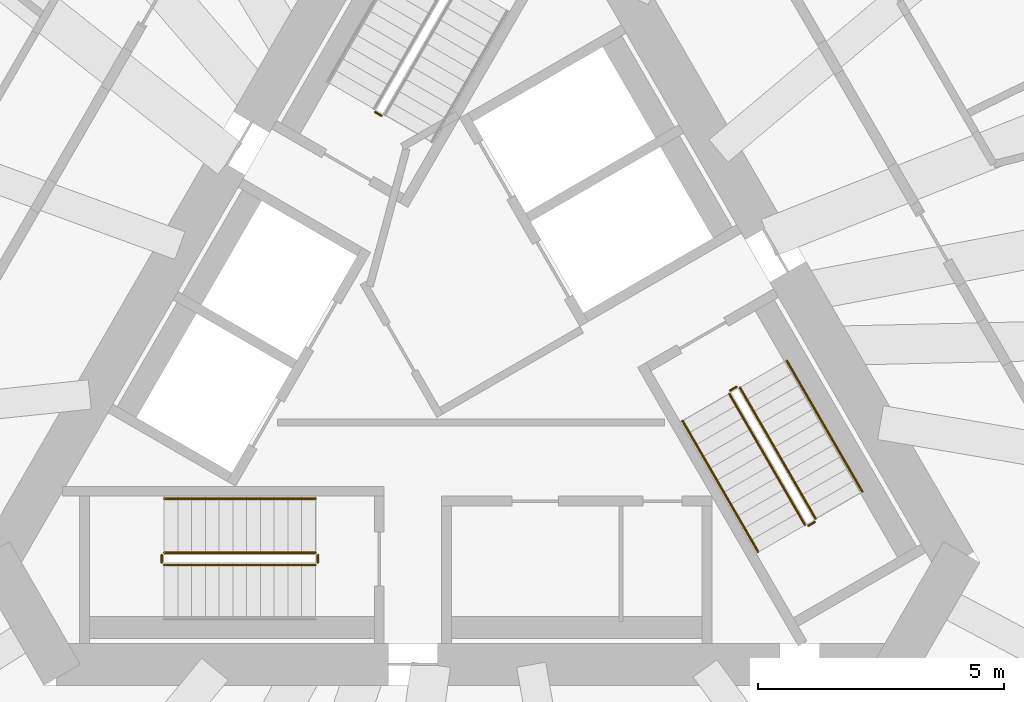
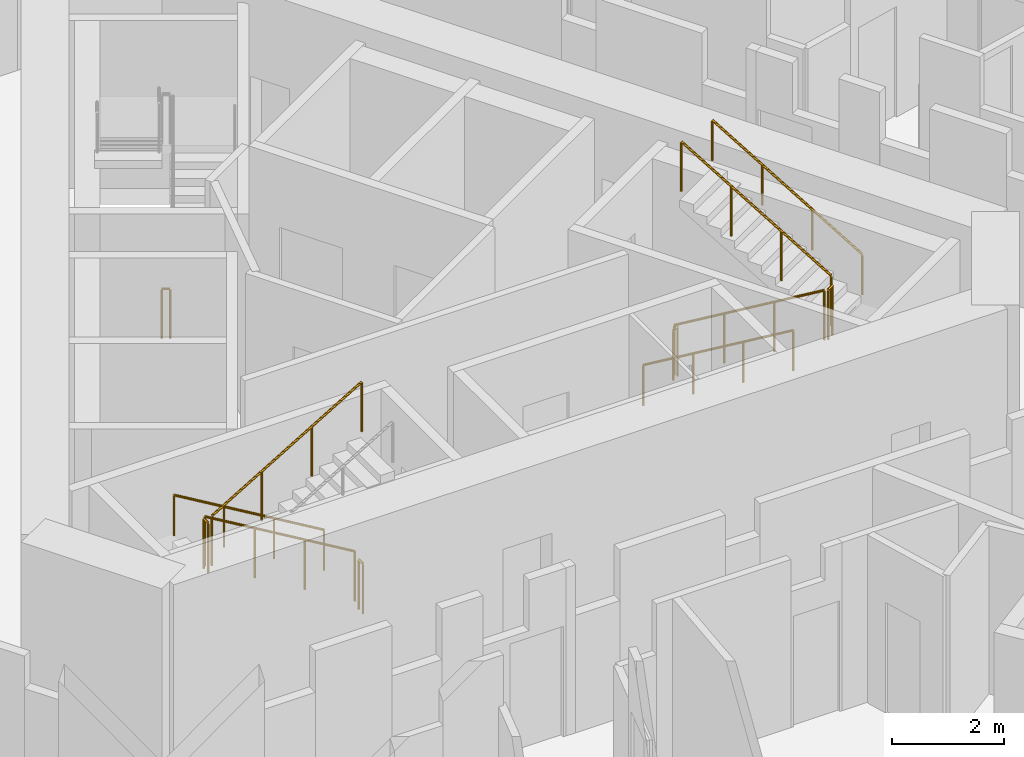
# One storey, part 11 of 14: 12 railings.
"""IFC4 building model written with IfcOpenShell, lengths in metres."""

from ifc_helpers import new_model, si_unit, direction, frame, origin, origin_2d, place, context, subcontext, project, spatial, circle, extrude, material, type_object, element, save


model = new_model("IFC4")

# Units and contexts
model_context = context("Model", 3, precision=1e-05, world=origin(), true_north=direction((0.0, 1.0)))
body_context = subcontext(model_context, "Body", "Model", "MODEL_VIEW")
ifc_project = project(units=[si_unit("LENGTHUNIT", "METRE"), si_unit("AREAUNIT", "SQUARE_METRE"), si_unit("VOLUMEUNIT", "CUBIC_METRE"), si_unit("PLANEANGLEUNIT", "RADIAN"), si_unit("MASSUNIT", "GRAM", prefix="KILO")], contexts=[model_context])

# Site, building, storey
site_placement = place(None, origin())
site = spatial("IfcSite", under=ifc_project, at=site_placement, CompositionType="ELEMENT")
building_placement = place(site_placement, origin())
building = spatial("IfcBuilding", under=site, at=building_placement, Name="Tramontana Tower", CompositionType="ELEMENT")
storey_placement = place(building_placement, frame((0.0, 0.0, 182.800048828125)))
storey = spatial("IfcBuildingStorey", under=building, at=storey_placement, Name="L42", CompositionType="ELEMENT", Elevation=182.800048828125)

# Railings
ifc_material_1 = material(Name="Painted steel", Category="steel")
railing_type_1 = type_object("IfcRailingType", Name="STAIR GUARD 1100", PredefinedType="GUARDRAIL", material=ifc_material_1)
railing_1_placement = place(storey_placement, frame((-1.935791015625, 4.84716796875, 0.0)))
element("IfcRailing", 1, at=railing_1_placement, inside=storey, type_object=railing_type_1, Name="L42 ST1 stair guard 4", PredefinedType="GUARDRAIL", context=body_context, shape_type="SweptSolid", body=[
    extrude(circle(Radius=0.02392578125, at=origin_2d()), frame((0.0, 0.0, 1.076171875), z_axis=(-0.865426285481, 0.501036270542, 0.0), x_axis=(-0.501036270542, -0.865426285481, 0.0)), (0.0, 0.0, 1.0), 0.150146484375),
    extrude(circle(Radius=0.02099609375, at=origin_2d()), origin(), (0.0, 0.0, 1.0), 1.052001953125),
    extrude(circle(Radius=0.02099609375, at=origin_2d()), frame((-0.1298828125, 0.0751953125, 0.0)), (0.0, 0.0, 1.0), 1.052001953125),
])
railing_2_placement = place(storey_placement, frame((-3.280029296875, -4.050048828125, 0.16650390625)))
element("IfcRailing", 2, at=railing_2_placement, inside=storey, type_object=railing_type_1, Name="L42 ST2 stair guard 1", PredefinedType="GUARDRAIL", context=body_context, shape_type="SweptSolid", body=[
    extrude(circle(Radius=0.02392578125, at=origin_2d()), frame((0.0, 0.0, 1.076171875), z_axis=(-0.85927862911, 0.0, 0.511507807912), x_axis=(0.0, -1.0, 0.0)), (0.0, 0.0, 1.0), 3.58447265625),
    extrude(circle(Radius=0.02099609375, at=origin_2d()), origin(), (0.0, 0.0, 1.0), 1.052001953125),
    extrude(circle(Radius=0.02099609375, at=origin_2d()), frame((-1.026611328125, 0.0, 0.611083984375)), (0.0, 0.0, 1.0), 1.052001953125),
    extrude(circle(Radius=0.02099609375, at=origin_2d()), frame((-2.053466796875, 0.0, 1.222412109375)), (0.0, 0.0, 1.0), 1.052001953125),
    extrude(circle(Radius=0.02099609375, at=origin_2d()), frame((-3.080078125, 0.0, 1.83349609375)), (0.0, 0.0, 1.0), 1.052001953125),
])
railing_3_placement = place(storey_placement, frame((-6.360107421875, -4.300048828125, 2.16650390625)))
element("IfcRailing", 3, at=railing_3_placement, inside=storey, type_object=railing_type_1, Name="L42 ST2 stair guard 2", PredefinedType="GUARDRAIL", context=body_context, shape_type="SweptSolid", body=[
    extrude(circle(Radius=0.02392578125, at=origin_2d()), frame((0.0, 0.0, 1.076171875), z_axis=(0.85927862911, 0.0, 0.511507807912), x_axis=(0.0, 1.0, 0.0)), (0.0, 0.0, 1.0), 3.58447265625),
    extrude(circle(Radius=0.02099609375, at=origin_2d()), origin(), (0.0, 0.0, 1.0), 1.052001953125),
    extrude(circle(Radius=0.02099609375, at=origin_2d()), frame((1.026611328125, 0.0, 0.611083984375)), (0.0, 0.0, 1.0), 1.052001953125),
    extrude(circle(Radius=0.02099609375, at=origin_2d()), frame((2.053466796875, 0.0, 1.222412109375)), (0.0, 0.0, 1.0), 1.052001953125),
    extrude(circle(Radius=0.02099609375, at=origin_2d()), frame((3.080078125, 0.0, 1.83349609375)), (0.0, 0.0, 1.0), 1.052001953125),
])
for number, where, name in (
    (4, (-6.409912109375, -4.10009765625, 2.0), "L42 ST2 stair guard 3"),
    (5, (-3.22998046875, -4.10009765625, 0.0), "L42 ST2 stair guard 4"),
):
    element("IfcRailing", number, at=place(storey_placement, frame(where)), inside=storey, type_object=railing_type_1, Name=name, PredefinedType="GUARDRAIL", context=body_context, shape_type="SweptSolid", body=[
        extrude(circle(Radius=0.02392578125, at=origin_2d()), frame((0.0, 0.0, 1.076171875), z_axis=(0.0, -1.0, 0.0), x_axis=(1.0, 0.0, 0.0)), (0.0, 0.0, 1.0), 0.14990234375),
        extrude(circle(Radius=0.02099609375, at=origin_2d()), origin(), (0.0, 0.0, 1.0), 1.052001953125),
        extrude(circle(Radius=0.02099609375, at=origin_2d()), frame((0.0, -0.14990234375, 0.0)), (0.0, 0.0, 1.0), 1.052001953125),
    ])
railing_4_placement = place(storey_placement, frame((5.1474609375, -0.815673828125, 0.16650390625)))
element("IfcRailing", 6, at=railing_4_placement, inside=storey, type_object=railing_type_1, Name="L42 ST3 stair guard 1", PredefinedType="GUARDRAIL", context=body_context, shape_type="SweptSolid", body=[
    extrude(circle(Radius=0.02392578125, at=origin_2d()), frame((0.0, 0.0, 1.076171875), z_axis=(0.429656224001, -0.744133520484, 0.511527939481), x_axis=(0.866010015463, 0.500026652407, 0.0)), (0.0, 0.0, 1.0), 3.58447265625),
    extrude(circle(Radius=0.02099609375, at=origin_2d()), origin(), (0.0, 0.0, 1.0), 1.052001953125),
    extrude(circle(Radius=0.02099609375, at=origin_2d()), frame((0.513427734375, -0.88916015625, 0.611083984375)), (0.0, 0.0, 1.0), 1.052001953125),
    extrude(circle(Radius=0.02099609375, at=origin_2d()), frame((1.026611328125, -1.778076171875, 1.222412109375)), (0.0, 0.0, 1.0), 1.052001953125),
    extrude(circle(Radius=0.02099609375, at=origin_2d()), frame((1.5400390625, -2.667236328125, 1.83349609375)), (0.0, 0.0, 1.0), 1.052001953125),
])
railing_5_placement = place(storey_placement, frame((6.90380859375, -3.35791015625, 2.16650390625)))
element("IfcRailing", 7, at=railing_5_placement, inside=storey, type_object=railing_type_1, Name="L42 ST3 stair guard 2", PredefinedType="GUARDRAIL", context=body_context, shape_type="SweptSolid", body=[
    extrude(circle(Radius=0.02392578125, at=origin_2d()), frame((0.0, 0.0, 1.076171875), z_axis=(-0.429600682602, 0.744155296881, 0.511542908886), x_axis=(-0.866044340336, -0.499967199496, 0.0)), (0.0, 0.0, 1.0), 3.584228515625),
    extrude(circle(Radius=0.02099609375, at=origin_2d()), origin(), (0.0, 0.0, 1.0), 1.052001953125),
    extrude(circle(Radius=0.02099609375, at=origin_2d()), frame((-0.51318359375, 0.88916015625, 0.611083984375)), (0.0, 0.0, 1.0), 1.052001953125),
    extrude(circle(Radius=0.02099609375, at=origin_2d()), frame((-1.026611328125, 1.778076171875, 1.222412109375)), (0.0, 0.0, 1.0), 1.052001953125),
    extrude(circle(Radius=0.02099609375, at=origin_2d()), frame((-1.539794921875, 2.667236328125, 1.83349609375)), (0.0, 0.0, 1.0), 1.052001953125),
])
for number, where, name in (
    (8, (6.755615234375, -3.501220703125, 2.0), "L42 ST3 stair guard 3"),
    (9, (5.165771484375, -0.747314453125, 0.0), "L42 ST3 stair guard 4"),
):
    element("IfcRailing", number, at=place(storey_placement, frame(where)), inside=storey, type_object=railing_type_1, Name=name, PredefinedType="GUARDRAIL", context=body_context, shape_type="SweptSolid", body=[
        extrude(circle(Radius=0.02392578125, at=origin_2d()), frame((0.0, 0.0, 1.076171875), z_axis=(0.866131372301, 0.499816412211, 0.0), x_axis=(-0.499816412211, 0.866131372301, 0.0)), (0.0, 0.0, 1.0), 0.14990234375),
        extrude(circle(Radius=0.02099609375, at=origin_2d()), origin(), (0.0, 0.0, 1.0), 1.052001953125),
        extrude(circle(Radius=0.02099609375, at=origin_2d()), frame((0.1298828125, 0.074951171875, 0.0)), (0.0, 0.0, 1.0), 1.052001953125),
    ])
ifc_material_2 = material(Name="Painted steel", Category="steel")
railing_type_2 = type_object("IfcRailingType", Name="STAIR HANDRAIL 900", PredefinedType="HANDRAIL", material=ifc_material_2)
railing_6_placement = place(storey_placement, frame((-3.280029296875, -2.949951171875, 0.16650390625)))
element("IfcRailing", 10, at=railing_6_placement, inside=storey, type_object=railing_type_2, Name="L42 ST2 stair handrail 1", PredefinedType="HANDRAIL", context=body_context, shape_type="SweptSolid", body=[
    extrude(circle(Radius=0.02392578125, at=origin_2d()), frame((0.0, 0.0, 0.8759765625), z_axis=(-0.85927862911, 0.0, 0.511507807912), x_axis=(0.0, -1.0, 0.0)), (0.0, 0.0, 1.0), 3.58447265625),
    extrude(circle(Radius=0.02099609375, at=origin_2d()), origin(), (0.0, 0.0, 1.0), 0.851806640625),
    extrude(circle(Radius=0.02099609375, at=origin_2d()), frame((-1.026611328125, 0.0, 0.611083984375)), (0.0, 0.0, 1.0), 0.851806640625),
    extrude(circle(Radius=0.02099609375, at=origin_2d()), frame((-2.053466796875, 0.0, 1.222412109375)), (0.0, 0.0, 1.0), 0.851806640625),
    extrude(circle(Radius=0.02099609375, at=origin_2d()), frame((-3.080078125, 0.0, 1.83349609375)), (0.0, 0.0, 1.0), 0.851806640625),
])
railing_7_placement = place(storey_placement, frame((4.19482421875, -1.365478515625, 0.16650390625)))
element("IfcRailing", 11, at=railing_7_placement, inside=storey, type_object=railing_type_2, Name="L42 ST3 stair handrail 1", PredefinedType="HANDRAIL", context=body_context, shape_type="SweptSolid", body=[
    extrude(circle(Radius=0.02392578125, at=origin_2d()), frame((0.0, 0.0, 0.8759765625), z_axis=(0.429634447492, -0.7441639146, 0.511502013422), x_axis=(0.866029832698, 0.499992328818, 0.0)), (0.0, 0.0, 1.0), 3.58447265625),
    extrude(circle(Radius=0.02099609375, at=origin_2d()), origin(), (0.0, 0.0, 1.0), 0.851806640625),
    extrude(circle(Radius=0.02099609375, at=origin_2d()), frame((0.513427734375, -0.88916015625, 0.611083984375)), (0.0, 0.0, 1.0), 0.851806640625),
    extrude(circle(Radius=0.02099609375, at=origin_2d()), frame((1.026611328125, -1.7783203125, 1.222412109375)), (0.0, 0.0, 1.0), 0.851806640625),
    extrude(circle(Radius=0.02099609375, at=origin_2d()), frame((1.5400390625, -2.66748046875, 1.83349609375)), (0.0, 0.0, 1.0), 0.851806640625),
])
railing_8_placement = place(storey_placement, frame((7.8564453125, -2.807861328125, 2.16650390625)))
element("IfcRailing", 12, at=railing_8_placement, inside=storey, type_object=railing_type_2, Name="L42 ST3 stair handrail 2", PredefinedType="HANDRAIL", context=body_context, shape_type="SweptSolid", body=[
    extrude(circle(Radius=0.02392578125, at=origin_2d()), frame((0.0, 0.0, 0.8759765625), z_axis=(-0.429600682602, 0.744155296881, 0.511542908886), x_axis=(-0.866044340336, -0.499967199496, 0.0)), (0.0, 0.0, 1.0), 3.584228515625),
    extrude(circle(Radius=0.02099609375, at=origin_2d()), origin(), (0.0, 0.0, 1.0), 0.851806640625),
    extrude(circle(Radius=0.02099609375, at=origin_2d()), frame((-0.51318359375, 0.88916015625, 0.611083984375)), (0.0, 0.0, 1.0), 0.851806640625),
    extrude(circle(Radius=0.02099609375, at=origin_2d()), frame((-1.026611328125, 1.778076171875, 1.222412109375)), (0.0, 0.0, 1.0), 0.851806640625),
    extrude(circle(Radius=0.02099609375, at=origin_2d()), frame((-1.539794921875, 2.667236328125, 1.83349609375)), (0.0, 0.0, 1.0), 0.851806640625),
])

save(model, "model.ifc")
